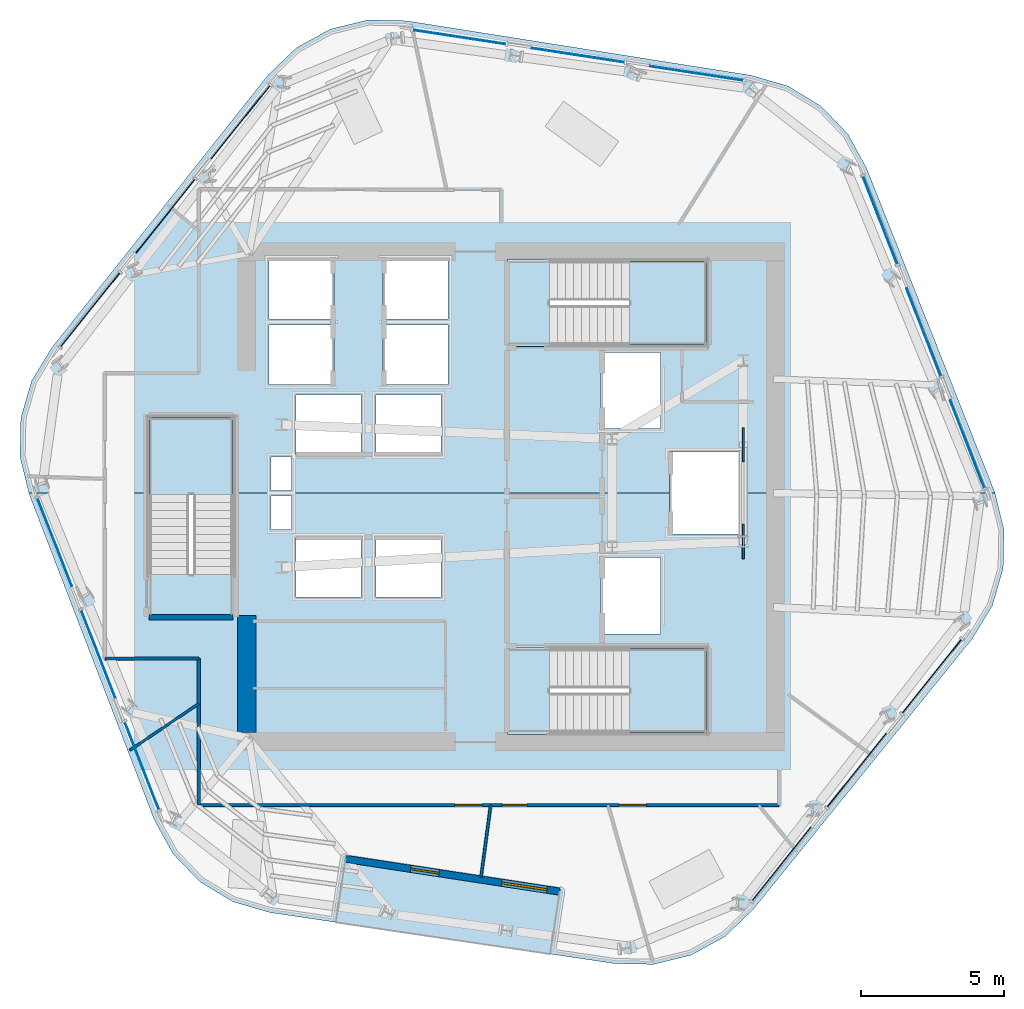
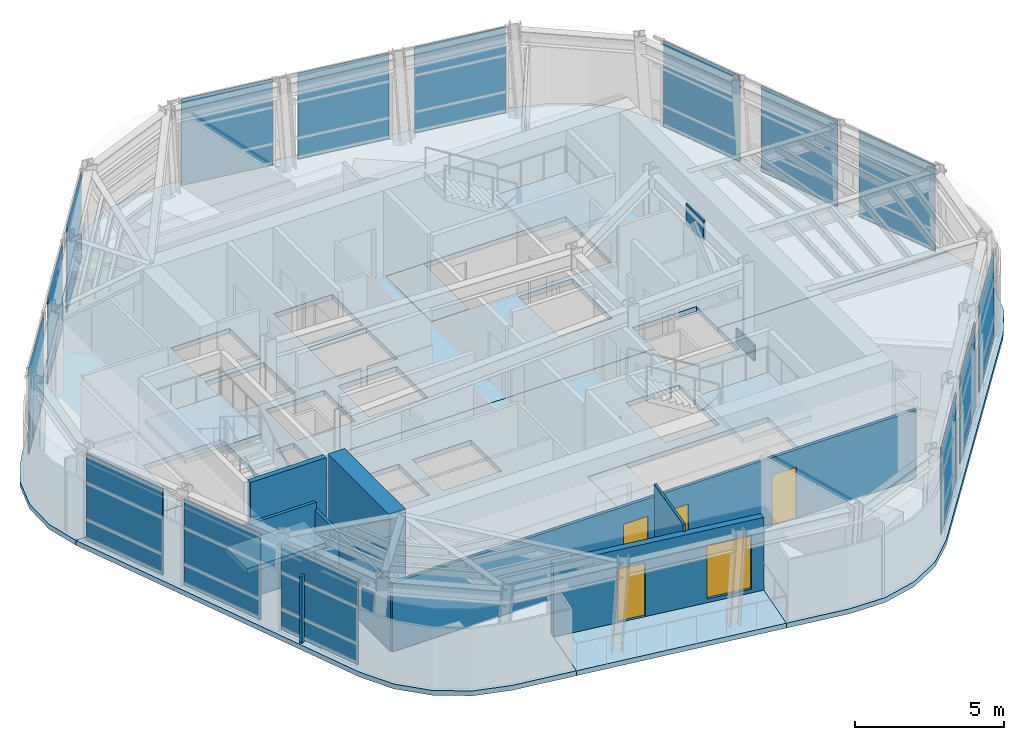
# One storey, part 5 of 12: 17 plates, 9 slabs, 8 walls, 4 doors, 1 window, 5 openings, 8 elements without a shape of their own.
"""IFC4 building model written with IfcOpenShell, lengths in metres."""

from ifc_helpers import new_model, si_unit, direction, frame, frame_2d, origin, origin_2d, place, context, subcontext, project, spatial, polyline, rectangle, outline, extrude, material, layer, layer_set, type_object, element, fill, aggregate, save


model = new_model("IFC4")

# Units and contexts
model_context = context("Model", 3, precision=1e-05, world=origin(), true_north=direction((0.0, 1.0)))
body_context = subcontext(model_context, "Body", "Model", "MODEL_VIEW")
ifc_project = project(units=[si_unit("LENGTHUNIT", "METRE"), si_unit("AREAUNIT", "SQUARE_METRE"), si_unit("VOLUMEUNIT", "CUBIC_METRE"), si_unit("PLANEANGLEUNIT", "RADIAN"), si_unit("MASSUNIT", "GRAM", prefix="KILO")], contexts=[model_context])

# Site, building, storey
site_placement = place(None, origin())
site = spatial("IfcSite", under=ifc_project, at=site_placement, CompositionType="ELEMENT")
building_placement = place(site_placement, origin())
building = spatial("IfcBuilding", under=site, at=building_placement, Name="Valkerne Bourse Tower", CompositionType="ELEMENT")
storey_placement = place(building_placement, frame((0.0, 0.0, 243.60009765625)))
storey = spatial("IfcBuildingStorey", under=building, at=storey_placement, Name="L62", CompositionType="ELEMENT", Elevation=243.60009765625)

# Curtain wall, plates
ifc_material_1 = material(Name="Aluminium AA 6063-T6", Category="aluminium")
ifc_layer_1 = layer(ifc_material_1, 0.239990234375)
ifc_layer_set_1 = layer_set([ifc_layer_1], Name="Aluminium AA 6063-T6")
curtain_wall_type = type_object("IfcCurtainWallType", Name="CW-04", PredefinedType="NOTDEFINED", material=ifc_layer_set_1)
curtain_wall_1_placement = place(storey_placement, origin())
curtain_wall_1 = element("IfcCurtainWall", 1, at=curtain_wall_1_placement, inside=storey, type_object=curtain_wall_type, Name="L62 Hexagonal Stick Curtain Wall Face 1", PredefinedType="NOTDEFINED")
ifc_material_2 = material(Name="Glass IGU Low-E Double Glazed", Category="glass")
ifc_layer_2 = layer(ifc_material_2, 0.031982421875)
ifc_layer_set_2 = layer_set([ifc_layer_2], Name="Glass IGU Low-E Double Glazed")
plate_type_1 = type_object("IfcPlateType", Name="CW-PNL-IGU-32", PredefinedType="CURTAIN_PANEL", material=ifc_layer_set_2)
plate_1_placement = place(storey_placement, frame((53.31396484375, 41.722900390625, 0.02978515625), z_axis=(0.0, 0.0, 1.0), x_axis=(-0.988494608468, 0.151256104109, 0.0)))
plate_1 = element("IfcPlate", 2, at=plate_1_placement, type_object=plate_type_1, Name="CW-L62-F1 Curtain Panel 00", PredefinedType="CURTAIN_PANEL", context=body_context, shape_type="SweptSolid", body=[
    extrude(rectangle(XDim=3.2919921875, YDim=0.031982421875, at=origin_2d()), origin(), (0.0, 0.0, 1.0), 3.5400390625),
])
plate_2_placement = place(storey_placement, frame((49.150390625, 42.35986328125, 0.02978515625), z_axis=(0.0, 0.0, 1.0), x_axis=(-0.988494065285, 0.151259653894, 0.0)))
plate_2 = element("IfcPlate", 3, at=plate_2_placement, type_object=plate_type_1, Name="CW-L62-F1 Curtain Panel 01", PredefinedType="CURTAIN_PANEL", context=body_context, shape_type="SweptSolid", body=[
    extrude(rectangle(XDim=3.2919921875, YDim=0.031982421875, at=origin_2d()), origin(), (0.0, 0.0, 1.0), 3.5400390625),
])
plate_3_placement = place(storey_placement, frame((44.98681640625, 42.9970703125, 0.02978515625), z_axis=(0.0, 0.0, 1.0), x_axis=(-0.988494065285, 0.151259653894, 0.0)))
plate_3 = element("IfcPlate", 4, at=plate_3_placement, type_object=plate_type_1, Name="CW-L62-F1 Curtain Panel 02", PredefinedType="CURTAIN_PANEL", context=body_context, shape_type="SweptSolid", body=[
    extrude(rectangle(XDim=3.2919921875, YDim=0.031982421875, at=origin_2d()), origin(), (0.0, 0.0, 1.0), 3.5400390625),
])
aggregate(curtain_wall_1, [plate_1, plate_2, plate_3])

curtain_wall_2_placement = place(storey_placement, origin())
curtain_wall_2 = element("IfcCurtainWall", 5, at=curtain_wall_2_placement, inside=storey, type_object=curtain_wall_type, Name="L62 Hexagonal Stick Curtain Wall Face 2", PredefinedType="NOTDEFINED")
plate_4_placement = place(storey_placement, frame((37.306640625, 40.002685546875, 0.02978515625), z_axis=(0.0, 0.0, 1.0), x_axis=(-0.625236322799, -0.780435481416, 0.0)))
plate_4 = element("IfcPlate", 6, at=plate_4_placement, type_object=plate_type_1, Name="CW-L62-F2 Curtain Panel 00", PredefinedType="CURTAIN_PANEL", context=body_context, shape_type="SweptSolid", body=[
    extrude(rectangle(XDim=3.2919921875, YDim=0.031982421875, at=origin_2d()), origin(), (0.0, 0.0, 1.0), 3.5400390625),
])
plate_5_placement = place(storey_placement, frame((34.673095703125, 36.715576171875, 0.02978515625), z_axis=(0.0, 0.0, 1.0), x_axis=(-0.625236322799, -0.780435481416, 0.0)))
plate_5 = element("IfcPlate", 7, at=plate_5_placement, type_object=plate_type_1, Name="CW-L62-F2 Curtain Panel 01", PredefinedType="CURTAIN_PANEL", context=body_context, shape_type="SweptSolid", body=[
    extrude(rectangle(XDim=3.2919921875, YDim=0.031982421875, at=origin_2d()), origin(), (0.0, 0.0, 1.0), 3.5400390625),
])
plate_6_placement = place(storey_placement, frame((32.039794921875, 33.42822265625, 0.02978515625), z_axis=(0.0, 0.0, 1.0), x_axis=(-0.625236322799, -0.780435481416, 0.0)))
plate_6 = element("IfcPlate", 8, at=plate_6_placement, type_object=plate_type_1, Name="CW-L62-F2 Curtain Panel 02", PredefinedType="CURTAIN_PANEL", context=body_context, shape_type="SweptSolid", body=[
    extrude(rectangle(XDim=3.2919921875, YDim=0.031982421875, at=origin_2d()), origin(), (0.0, 0.0, 1.0), 3.5400390625),
])
aggregate(curtain_wall_2, [plate_4, plate_5, plate_6])

curtain_wall_3_placement = place(storey_placement, origin())
curtain_wall_3 = element("IfcCurtainWall", 9, at=curtain_wall_3_placement, inside=storey, type_object=curtain_wall_type, Name="L62 Hexagonal Stick Curtain Wall Face 3", PredefinedType="NOTDEFINED")
plate_7_placement = place(storey_placement, frame((30.792724609375, 25.27978515625, 0.02978515625), z_axis=(0.0, 0.0, 1.0), x_axis=(0.363267586494, -0.931684850474, 0.0)))
plate_7 = element("IfcPlate", 10, at=plate_7_placement, type_object=plate_type_1, Name="CW-L62-F3 Curtain Panel 00", PredefinedType="CURTAIN_PANEL", context=body_context, shape_type="SweptSolid", body=[
    extrude(rectangle(XDim=3.2919921875, YDim=0.031982421875, at=origin_2d()), origin(), (0.0, 0.0, 1.0), 3.5400390625),
])
plate_8_placement = place(storey_placement, frame((32.32275390625, 21.355712890625, 0.02978515625), z_axis=(0.0, 0.0, 1.0), x_axis=(0.363246977807, -0.93169288562, 0.0)))
plate_8 = element("IfcPlate", 11, at=plate_8_placement, type_object=plate_type_1, Name="CW-L62-F3 Curtain Panel 01", PredefinedType="CURTAIN_PANEL", context=body_context, shape_type="SweptSolid", body=[
    extrude(rectangle(XDim=3.2919921875, YDim=0.031982421875, at=origin_2d()), origin(), (0.0, 0.0, 1.0), 3.5400390625),
])
plate_9_placement = place(storey_placement, frame((33.852783203125, 17.43115234375, 0.02978515625), z_axis=(0.0, 0.0, 1.0), x_axis=(0.363246977807, -0.93169288562, 0.0)))
plate_9 = element("IfcPlate", 12, at=plate_9_placement, type_object=plate_type_1, Name="CW-L62-F3 Curtain Panel 02", PredefinedType="CURTAIN_PANEL", context=body_context, shape_type="SweptSolid", body=[
    extrude(rectangle(XDim=3.2919921875, YDim=0.031982421875, at=origin_2d()), origin(), (0.0, 0.0, 1.0), 3.5400390625),
])
aggregate(curtain_wall_3, [plate_7, plate_8, plate_9])

curtain_wall_4_placement = place(storey_placement, origin())
curtain_wall_4 = element("IfcCurtainWall", 13, at=curtain_wall_4_placement, inside=storey, type_object=curtain_wall_type, Name="L62 Hexagonal Stick Curtain Wall Face 5", PredefinedType="NOTDEFINED")
plate_10_placement = place(storey_placement, frame((56.293212890625, 13.997314453125, 0.02978515625), z_axis=(0.0, 0.0, 1.0), x_axis=(0.625236322799, 0.780435481416, 0.0)))
plate_10 = element("IfcPlate", 14, at=plate_10_placement, type_object=plate_type_1, Name="CW-L62-F5 Curtain Panel 00", PredefinedType="CURTAIN_PANEL", context=body_context, shape_type="SweptSolid", body=[
    extrude(rectangle(XDim=3.2919921875, YDim=0.031982421875, at=origin_2d()), origin(), (0.0, 0.0, 1.0), 3.5400390625),
])
plate_11_placement = place(storey_placement, frame((58.927001953125, 17.284423828125, 0.02978515625), z_axis=(0.0, 0.0, 1.0), x_axis=(0.625236322799, 0.780435481416, 0.0)))
plate_11 = element("IfcPlate", 15, at=plate_11_placement, type_object=plate_type_1, Name="CW-L62-F5 Curtain Panel 01", PredefinedType="CURTAIN_PANEL", context=body_context, shape_type="SweptSolid", body=[
    extrude(rectangle(XDim=3.2919921875, YDim=0.031982421875, at=origin_2d()), origin(), (0.0, 0.0, 1.0), 3.5400390625),
])
plate_12_placement = place(storey_placement, frame((61.560302734375, 20.57177734375, 0.02978515625), z_axis=(0.0, 0.0, 1.0), x_axis=(0.625236322799, 0.780435481416, 0.0)))
plate_12 = element("IfcPlate", 16, at=plate_12_placement, type_object=plate_type_1, Name="CW-L62-F5 Curtain Panel 02", PredefinedType="CURTAIN_PANEL", context=body_context, shape_type="SweptSolid", body=[
    extrude(rectangle(XDim=3.2919921875, YDim=0.031982421875, at=origin_2d()), origin(), (0.0, 0.0, 1.0), 3.5400390625),
])
aggregate(curtain_wall_4, [plate_10, plate_11, plate_12])

curtain_wall_5_placement = place(storey_placement, origin())
curtain_wall_5 = element("IfcCurtainWall", 17, at=curtain_wall_5_placement, inside=storey, type_object=curtain_wall_type, Name="L62 Hexagonal Stick Curtain Wall Face 6", PredefinedType="NOTDEFINED")
plate_13_placement = place(storey_placement, frame((62.807373046875, 28.72021484375, 0.02978515625), z_axis=(0.0, 0.0, 1.0), x_axis=(-0.363267586494, 0.931684850474, 0.0)))
plate_13 = element("IfcPlate", 18, at=plate_13_placement, type_object=plate_type_1, Name="CW-L62-F6 Curtain Panel 00", PredefinedType="CURTAIN_PANEL", context=body_context, shape_type="SweptSolid", body=[
    extrude(rectangle(XDim=3.2919921875, YDim=0.031982421875, at=origin_2d()), origin(), (0.0, 0.0, 1.0), 3.5400390625),
])
plate_14_placement = place(storey_placement, frame((61.277099609375, 32.644287109375, 0.02978515625), z_axis=(0.0, 0.0, 1.0), x_axis=(-0.363246977807, 0.93169288562, 0.0)))
plate_14 = element("IfcPlate", 19, at=plate_14_placement, type_object=plate_type_1, Name="CW-L62-F6 Curtain Panel 01", PredefinedType="CURTAIN_PANEL", context=body_context, shape_type="SweptSolid", body=[
    extrude(rectangle(XDim=3.2919921875, YDim=0.031982421875, at=origin_2d()), origin(), (0.0, 0.0, 1.0), 3.5400390625),
])
plate_15_placement = place(storey_placement, frame((59.747314453125, 36.56884765625, 0.02978515625), z_axis=(0.0, 0.0, 1.0), x_axis=(-0.363246977807, 0.93169288562, 0.0)))
plate_15 = element("IfcPlate", 20, at=plate_15_placement, type_object=plate_type_1, Name="CW-L62-F6 Curtain Panel 02", PredefinedType="CURTAIN_PANEL", context=body_context, shape_type="SweptSolid", body=[
    extrude(rectangle(XDim=3.2919921875, YDim=0.031982421875, at=origin_2d()), origin(), (0.0, 0.0, 1.0), 3.5400390625),
])
aggregate(curtain_wall_5, [plate_13, plate_14, plate_15])

# Plates
ifc_material_3 = material(Name="Steel ASTM A572 Grade 50", Category="steel")
ifc_layer_3 = layer(ifc_material_3, 0.06005859375)
ifc_layer_set_3 = layer_set([ifc_layer_3], Name="Steel ASTM A572 Grade 50")
plate_type_2 = type_object("IfcPlateType", Name="PLT-GUS-60", PredefinedType="SHEET", material=ifc_layer_set_3)
for number, where, z_axis, x_axis, name in (
    (21, (54.949951171875, 25.300048828125, -0.18017578125), (0.0, 0.0, 1.0), (0.0, 1.0, 0.0), "L62 Brace Node Gusset Plate PLT-GUS-END-L62-440"),
    (22, (54.949951171875, 28.699951171875, 2.8935546875), (0.0, 0.0, 1.0), (0.0, 1.0, 0.0), "L62 Brace Node Gusset Plate PLT-GUS-END-L62-441"),
):
    element("IfcPlate", number, at=place(storey_placement, frame(where, z_axis=z_axis, x_axis=x_axis)), inside=storey, type_object=plate_type_2, Name=name, PredefinedType="SHEET", context=body_context, shape_type="SweptSolid", body=[
        extrude(rectangle(XDim=1.199951171875, YDim=0.06005859375, at=origin_2d()), origin(), (0.0, 0.0, 1.0), 0.800048828125),
    ])

# Slabs
ifc_material_4 = material(Name="Concrete C40/50", Category="concrete")
ifc_layer_4 = layer(ifc_material_4, 0.25)
ifc_layer_set_4 = layer_set([ifc_layer_4], Name="Concrete C40/50")
slab_type_1 = type_object("IfcSlabType", Name="SLB-RMP-LND-250", PredefinedType="LANDING", material=ifc_layer_set_4)
slab_1_placement = place(storey_placement, frame((0.0, 0.0, -0.2001953125)))
element("IfcSlab", 23, at=slab_1_placement, inside=storey, type_object=slab_type_1, Name="L62 ST-1 Floor Landing Slab", PredefinedType="LANDING", context=body_context, shape_type="SweptSolid", body=[
    extrude(outline(polyline([(46.669921875, 18.5400390625), (48.14990234375, 18.5400390625), (48.14990234375, 21.610107421875), (46.669921875, 21.610107421875), (46.669921875, 18.5400390625)])), origin(), (0.0, 0.0, 1.0), 0.2001953125),
])
slab_2_placement = place(storey_placement, frame((0.0, 0.0, -0.2001953125)))
element("IfcSlab", 24, at=slab_2_placement, inside=storey, type_object=slab_type_1, Name="L62 ST-2 Floor Landing Slab", PredefinedType="LANDING", context=body_context, shape_type="SweptSolid", body=[
    extrude(outline(polyline([(46.669921875, 32.139892578125), (48.14990234375, 32.139892578125), (48.14990234375, 35.2099609375), (46.669921875, 35.2099609375), (46.669921875, 32.139892578125)])), origin(), (0.0, 0.0, 1.0), 0.2001953125),
])
slab_3_placement = place(storey_placement, frame((0.0, 0.0, -0.2001953125)))
element("IfcSlab", 25, at=slab_3_placement, inside=storey, type_object=slab_type_1, Name="L62 ST-3 Floor Landing Slab", PredefinedType="LANDING", context=body_context, shape_type="SweptSolid", body=[
    extrude(outline(polyline([(37.110107421875, 22.669921875), (37.110107421875, 24.14990234375), (34.0400390625, 24.14990234375), (34.0400390625, 22.669921875), (37.110107421875, 22.669921875)])), origin(), (0.0, 0.0, 1.0), 0.2001953125),
])

# Stair, slab
stair_type = type_object("IfcStairType", Name="ST-CORE-1400", PredefinedType="HALF_TURN_STAIR", material=ifc_material_4)
stair_1_placement = place(storey_placement, origin())
stair_1 = element("IfcStair", 26, at=stair_1_placement, inside=storey, type_object=stair_type, Name="L62 ST-1", PredefinedType="HALF_TURN_STAIR")
ifc_layer_5 = layer(ifc_material_4, 0.179931640625)
ifc_layer_set_5 = layer_set([ifc_layer_5], Name="Concrete C40/50")
slab_type_2 = type_object("IfcSlabType", Name="SLB-ST-LND-180", PredefinedType="LANDING", material=ifc_layer_set_5)
slab_4_placement = place(storey_placement, frame((0.0, 0.0, 1.699951171875)))
slab_4 = element("IfcSlab", 27, at=slab_4_placement, type_object=slab_type_2, Name="ST-1 landing 1", PredefinedType="LANDING", context=body_context, shape_type="SweptSolid", body=[
    extrude(outline(polyline([(50.949951171875, 18.60009765625), (53.64990234375, 18.60009765625), (53.64990234375, 21.550048828125), (50.949951171875, 21.550048828125), (50.949951171875, 18.60009765625)])), origin(), (0.0, 0.0, 1.0), 0.199951171875),
])
aggregate(stair_1, [slab_4])

stair_2_placement = place(storey_placement, origin())
stair_2 = element("IfcStair", 28, at=stair_2_placement, inside=storey, type_object=stair_type, Name="L62 ST-2", PredefinedType="HALF_TURN_STAIR")
slab_5_placement = place(storey_placement, frame((0.0, 0.0, 1.699951171875)))
slab_5 = element("IfcSlab", 29, at=slab_5_placement, type_object=slab_type_2, Name="ST-2 landing 1", PredefinedType="LANDING", context=body_context, shape_type="SweptSolid", body=[
    extrude(outline(polyline([(50.949951171875, 32.199951171875), (53.64990234375, 32.199951171875), (53.64990234375, 35.14990234375), (50.949951171875, 35.14990234375), (50.949951171875, 32.199951171875)])), origin(), (0.0, 0.0, 1.0), 0.199951171875),
])
aggregate(stair_2, [slab_5])

stair_3_placement = place(storey_placement, origin())
stair_3 = element("IfcStair", 30, at=stair_3_placement, inside=storey, type_object=stair_type, Name="L62 ST-3", PredefinedType="HALF_TURN_STAIR")
slab_6_placement = place(storey_placement, frame((0.0, 0.0, 1.699951171875)))
slab_6 = element("IfcSlab", 31, at=slab_6_placement, type_object=slab_type_2, Name="ST-3 landing 1", PredefinedType="LANDING", context=body_context, shape_type="SweptSolid", body=[
    extrude(outline(polyline([(37.050048828125, 26.949951171875), (37.050048828125, 29.64990234375), (34.10009765625, 29.64990234375), (34.10009765625, 26.949951171875), (37.050048828125, 26.949951171875)])), origin(), (0.0, 0.0, 1.0), 0.199951171875),
])
aggregate(stair_3, [slab_6])

# Slabs
ifc_layer_6 = layer(ifc_material_4, 0.199951171875)
ifc_layer_set_6 = layer_set([ifc_layer_6], Name="Concrete C40/50")
slab_type_3 = type_object("IfcSlabType", Name="SLB-TER-200", PredefinedType="FLOOR", material=ifc_layer_set_6)
slab_7_placement = place(storey_placement, frame((0.0, 0.0, -0.2001953125)))
element("IfcSlab", 32, at=slab_7_placement, inside=storey, type_object=slab_type_3, Name="L62 V-Notch Stepped Outdoor Terrace Slab", PredefinedType="FLOOR", context=body_context, shape_type="SweptSolid", body=[
    extrude(outline(polyline([(40.652099609375, 11.946044921875), (40.992431640625, 14.169189453125), (48.5048828125, 13.01953125), (48.17041015625, 10.83349609375), (40.652099609375, 11.946044921875)])), origin(), (0.0, 0.0, 1.0), 0.2001953125),
])
ifc_layer_7 = layer(ifc_material_4, 0.199951171875)
ifc_layer_set_7 = layer_set([ifc_layer_7], Name="Concrete C40/50")
slab_type_4 = type_object("IfcSlabType", Name="SLB-TOW-200", PredefinedType="FLOOR", material=ifc_layer_set_7)
slab_8_placement = place(storey_placement, frame((0.0, 0.0, -0.2001953125)))
element("IfcSlab", 33, at=slab_8_placement, inside=storey, type_object=slab_type_4, Name="L62 Hexagonal Composite Floor Slab S", PredefinedType="FLOOR", context=body_context, shape_type="SweptSolid", body=[
    extrude(outline(polyline([(35.8798828125, 13.369384765625), (34.940185546875, 14.34912109375), (34.286376953125, 15.538818359375), (29.89990234375, 26.955810546875), (29.88916015625, 27.0), (34.034912109375, 27.0), (34.034912109375, 22.6650390625), (37.114990234375, 22.6650390625), (37.114990234375, 27.0), (52.360107421875, 27.0), (52.360107421875, 25.56005859375), (54.840087890625, 25.56005859375), (54.840087890625, 27.0), (63.777587890625, 27.0), (64.093017578125, 25.71533203125), (64.064697265625, 24.358154296875), (63.685791015625, 23.0546875), (62.982666015625, 21.893310546875), (55.288330078125, 12.38623046875), (54.30859375, 11.44677734375), (53.118896484375, 10.792724609375), (51.80078125, 10.468994140625), (50.443603515625, 10.497314453125), (48.17041015625, 10.83349609375), (48.5048828125, 13.01953125), (40.992431640625, 14.169189453125), (40.652099609375, 11.946044921875), (38.344482421875, 12.287353515625), (37.041015625, 12.666015625), (35.8798828125, 13.369384765625)]), holes=[polyline([(41.5400390625, 25.43994140625), (39.260009765625, 25.43994140625), (39.260009765625, 23.360107421875), (41.5400390625, 23.360107421875), (41.5400390625, 25.43994140625)]), polyline([(44.340087890625, 25.43994140625), (42.06005859375, 25.43994140625), (42.06005859375, 23.360107421875), (44.340087890625, 23.360107421875), (44.340087890625, 25.43994140625)]), polyline([(39.10009765625, 26.89990234375), (38.3798828125, 26.89990234375), (38.3798828125, 25.72998046875), (39.10009765625, 25.72998046875), (39.10009765625, 26.89990234375)]), polyline([(53.675048828125, 21.614990234375), (46.6650390625, 21.614990234375), (46.6650390625, 18.534912109375), (53.675048828125, 18.534912109375), (53.675048828125, 21.614990234375)]), polyline([(52.0400390625, 24.739990234375), (49.9599609375, 24.739990234375), (49.9599609375, 22.06005859375), (52.0400390625, 22.06005859375), (52.0400390625, 24.739990234375)])]), origin(), (0.0, 0.0, 1.0), 0.2001953125),
])
slab_9_placement = place(storey_placement, frame((0.0, 0.0, -0.2001953125)))
element("IfcSlab", 34, at=slab_9_placement, inside=storey, type_object=slab_type_4, Name="L62 Hexagonal Composite Floor Slab N", PredefinedType="FLOOR", context=body_context, shape_type="SweptSolid", body=[
    extrude(outline(polyline([(29.576171875, 28.274169921875), (29.6044921875, 29.63134765625), (29.9833984375, 30.934814453125), (30.6865234375, 32.095947265625), (38.286376953125, 41.678955078125), (39.26611328125, 42.618408203125), (40.45556640625, 43.2724609375), (41.77392578125, 43.59619140625), (43.131103515625, 43.56787109375), (55.211669921875, 41.657958984375), (56.515380859375, 41.279296875), (57.676513671875, 40.575927734375), (58.615966796875, 39.59619140625), (59.27001953125, 38.40673828125), (63.769287109375, 27.03369140625), (63.777587890625, 27.0), (54.840087890625, 27.0), (54.840087890625, 28.43994140625), (52.360107421875, 28.43994140625), (52.360107421875, 27.0), (37.114990234375, 27.0), (37.114990234375, 29.675048828125), (34.034912109375, 29.675048828125), (34.034912109375, 27.0), (29.88916015625, 27.0), (29.576171875, 28.274169921875)]), holes=[polyline([(39.10009765625, 28.27001953125), (38.3798828125, 28.27001953125), (38.3798828125, 27.10009765625), (39.10009765625, 27.10009765625), (39.10009765625, 28.27001953125)]), polyline([(41.5400390625, 30.43994140625), (39.260009765625, 30.43994140625), (39.260009765625, 28.360107421875), (41.5400390625, 28.360107421875), (41.5400390625, 30.43994140625)]), polyline([(40.590087890625, 32.889892578125), (38.31005859375, 32.889892578125), (38.31005859375, 30.81005859375), (40.590087890625, 30.81005859375), (40.590087890625, 32.889892578125)]), polyline([(40.590087890625, 35.18994140625), (38.31005859375, 35.18994140625), (38.31005859375, 33.110107421875), (40.590087890625, 33.110107421875), (40.590087890625, 35.18994140625)]), polyline([(44.340087890625, 30.43994140625), (42.06005859375, 30.43994140625), (42.06005859375, 28.360107421875), (44.340087890625, 28.360107421875), (44.340087890625, 30.43994140625)]), polyline([(52.0400390625, 31.93994140625), (49.9599609375, 31.93994140625), (49.9599609375, 29.260009765625), (52.0400390625, 29.260009765625), (52.0400390625, 31.93994140625)]), polyline([(44.590087890625, 32.889892578125), (42.31005859375, 32.889892578125), (42.31005859375, 30.81005859375), (44.590087890625, 30.81005859375), (44.590087890625, 32.889892578125)]), polyline([(53.675048828125, 35.215087890625), (46.6650390625, 35.215087890625), (46.6650390625, 32.135009765625), (53.675048828125, 32.135009765625), (53.675048828125, 35.215087890625)]), polyline([(44.590087890625, 35.18994140625), (42.31005859375, 35.18994140625), (42.31005859375, 33.110107421875), (44.590087890625, 33.110107421875), (44.590087890625, 35.18994140625)])]), origin(), (0.0, 0.0, 1.0), 0.2001953125),
])

# Walls
ifc_material_5 = material(Name="Concrete C55/67", Category="concrete")
ifc_layer_8 = layer(ifc_material_5, 0.64990234375)
ifc_layer_set_8 = layer_set([ifc_layer_8], Name="Concrete C55/67")
wall_type_1 = type_object("IfcWallType", Name="W-CORE-650", PredefinedType="SHEAR", material=ifc_layer_set_8)
wall_1_placement = place(storey_placement, frame((37.52490234375, 18.60009765625, 0.0), z_axis=(0.0, 0.0, 1.0), x_axis=(0.0, 1.0, 0.0)))
element("IfcWall", 35, at=wall_1_placement, inside=storey, type_object=wall_type_1, Name="L62 Core Shear Wall WEST-S", PredefinedType="SHEAR", context=body_context, shape_type="SweptSolid", body=[
    extrude(rectangle(XDim=4.099853515625, YDim=0.64990234375, at=frame_2d((2.0498046875, 0.0))), origin(), (0.0, 0.0, 1.0), 3.599853515625),
])
ifc_material_6 = material(Name="Gypsum Board Steel-Stud Partition", Category="steel")
ifc_layer_9 = layer(ifc_material_6, 0.117919921875)
ifc_layer_set_9 = layer_set([ifc_layer_9], Name="Gypsum Board Steel-Stud Partition")
wall_type_2 = type_object("IfcWallType", Name="W-CORR-140", PredefinedType="PARTITIONING", material=ifc_layer_set_9)
wall_2_placement = place(storey_placement, frame((35.85009765625, 16.06005859375, 0.0), z_axis=(0.0, 0.0, 1.0), x_axis=(0.0, 1.0, 0.0)))
element("IfcWall", 36, at=wall_2_placement, inside=storey, type_object=wall_type_2, Name="L62 Corridor Enclosure Wall", PredefinedType="PARTITIONING", context=body_context, shape_type="SweptSolid", body=[
    extrude(rectangle(XDim=5.139892578125, YDim=0.117919921875, at=frame_2d((2.56982421875, 0.0))), origin(), (0.0, 0.0, 1.0), 2.7314453125),
])
wall_3_placement = place(storey_placement, frame((35.85009765625, 21.199951171875, 0.0), z_axis=(0.0, 0.0, 1.0), x_axis=(-1.0, 0.0, 0.0)))
element("IfcWall", 37, at=wall_3_placement, inside=storey, type_object=wall_type_2, Name="L62 Corridor Enclosure Wall", PredefinedType="PARTITIONING", context=body_context, shape_type="SweptSolid", body=[
    extrude(rectangle(XDim=3.300048828125, YDim=0.117919921875, at=frame_2d((1.64990234375, 0.0))), origin(), (0.0, 0.0, 1.0), 3.0361328125),
])

# Wall, openings, doors
wall_4_placement = place(storey_placement, frame((56.199951171875, 16.06005859375, 0.0), z_axis=(0.0, 0.0, 1.0), x_axis=(-1.0, 0.0, 0.0)))
wall_4 = element("IfcWall", 38, at=wall_4_placement, inside=storey, type_object=wall_type_2, Name="L62 Corridor Enclosure Wall", PredefinedType="PARTITIONING", context=body_context, shape_type="SweptSolid", body=[
    extrude(rectangle(XDim=20.349853515625, YDim=0.117919921875, at=frame_2d((10.1748046875, 0.0))), origin(), (0.0, 0.0, 1.0), 2.8203125),
])
opening_1_placement = place(wall_4_placement, frame((8.844970703125, 0.0, 0.0)))
opening_1 = element("IfcOpeningElement", 39, at=opening_1_placement, cuts=wall_4, Name="Opening D-WC-900", PredefinedType="OPENING", context=body_context, shape_type="SweptSolid", body=[
    extrude(rectangle(XDim=0.860107421875, YDim=2.050048828125, at=frame_2d((0.43017578125, 1.02490234375))), frame((0.0, 0.06884765625, 0.0), z_axis=(0.0, -1.0, 0.0), x_axis=(1.0, 0.0, 0.0)), (0.0, 0.0, 1.0), 0.137939453125),
])
opening_2_placement = place(wall_4_placement, frame((4.659912109375, 0.0, 0.0)))
opening_2 = element("IfcOpeningElement", 40, at=opening_2_placement, cuts=wall_4, Name="Opening D-OF-950", PredefinedType="OPENING", context=body_context, shape_type="SweptSolid", body=[
    extrude(rectangle(XDim=0.949951171875, YDim=2.10009765625, at=frame_2d((0.47509765625, 1.050048828125))), frame((0.0, 0.06884765625, 0.0), z_axis=(0.0, -1.0, 0.0), x_axis=(1.0, 0.0, 0.0)), (0.0, 0.0, 1.0), 0.137939453125),
])
opening_3_placement = place(wall_4_placement, frame((10.419921875, 0.0, 0.0)))
opening_3 = element("IfcOpeningElement", 41, at=opening_3_placement, cuts=wall_4, Name="Opening D-OF-950", PredefinedType="OPENING", context=body_context, shape_type="SweptSolid", body=[
    extrude(rectangle(XDim=0.949951171875, YDim=2.10009765625, at=frame_2d((0.47509765625, 1.050048828125))), frame((0.0, 0.06884765625, 0.0), z_axis=(0.0, -1.0, 0.0), x_axis=(1.0, 0.0, 0.0)), (0.0, 0.0, 1.0), 0.137939453125),
])
ifc_material_7 = material(Name="Architectural White Oak Timber", Category="wood")
door_type_1 = type_object("IfcDoorType", Name="DR-OFF-950", OperationType="NOTDEFINED", PredefinedType="DOOR", material=ifc_material_7)
door_1_placement = place(opening_2_placement, origin())
door_1 = element("IfcDoor", 42, at=door_1_placement, inside=storey, type_object=door_type_1, Name="L62 L62 VIP Client Concierge Reception 3 Door", OperationType="SINGLE_SWING_LEFT", OverallHeight=2.10009765625, OverallWidth=0.949951171875, PredefinedType="DOOR", context=body_context, shape_type="SweptSolid", body=[
    extrude(rectangle(XDim=0.949951171875, YDim=2.10009765625, at=frame_2d((0.47509765625, 1.050048828125))), frame((0.0, 0.02490234375, 0.0), z_axis=(0.0, -1.0, 0.0), x_axis=(1.0, 0.0, 0.0)), (0.0, 0.0, 1.0), 0.050048828125),
])
fill(opening_2, door_1)
door_2_placement = place(opening_3_placement, origin())
door_2 = element("IfcDoor", 43, at=door_2_placement, inside=storey, type_object=door_type_1, Name="L62 L62 Executive Advisory Suite Office 5 Door", OperationType="SINGLE_SWING_LEFT", OverallHeight=2.10009765625, OverallWidth=0.949951171875, PredefinedType="DOOR", context=body_context, shape_type="SweptSolid", body=[
    extrude(rectangle(XDim=0.949951171875, YDim=2.10009765625, at=frame_2d((0.47509765625, 1.050048828125))), frame((0.0, 0.02490234375, 0.0), z_axis=(0.0, -1.0, 0.0), x_axis=(1.0, 0.0, 0.0)), (0.0, 0.0, 1.0), 0.050048828125),
])
fill(opening_3, door_2)
door_type_2 = type_object("IfcDoorType", Name="DR-WC-900", OperationType="NOTDEFINED", PredefinedType="DOOR", material=ifc_material_7)
door_3_placement = place(opening_1_placement, origin())
door_3 = element("IfcDoor", 44, at=door_3_placement, inside=storey, type_object=door_type_2, Name="L62 L62 Women Restroom & Shower WC 2 Door", OperationType="SINGLE_SWING_LEFT", OverallHeight=2.050048828125, OverallWidth=0.860107421875, PredefinedType="DOOR", context=body_context, shape_type="SweptSolid", body=[
    extrude(rectangle(XDim=0.860107421875, YDim=2.050048828125, at=frame_2d((0.43017578125, 1.02490234375))), frame((0.0, 0.02490234375, 0.0), z_axis=(0.0, -1.0, 0.0), x_axis=(1.0, 0.0, 0.0)), (0.0, 0.0, 1.0), 0.050048828125),
])
fill(opening_1, door_3)

# Wall, openings, door, window
ifc_material_8 = material(Name="Bronze Anodised Aluminium AA 6063-T6", Category="aluminium")
ifc_layer_10 = layer(ifc_material_8, 0.25)
ifc_layer_set_10 = layer_set([ifc_layer_10], Name="Bronze Anodised Aluminium AA 6063-T6")
wall_type_3 = type_object("IfcWallType", Name="W-EXT-TER-250", PredefinedType="STANDARD", material=ifc_layer_set_10)
wall_5_placement = place(storey_placement, frame((40.992431640625, 14.169189453125, 0.0), z_axis=(0.0, 0.0, 1.0), x_axis=(0.988492083939, -0.151272601582, 0.0)))
wall_5 = element("IfcWall", 45, at=wall_5_placement, inside=storey, type_object=wall_type_3, Name="L62 V-Notch Terrace Glazed Access Wall", PredefinedType="STANDARD", context=body_context, shape_type="SweptSolid", body=[
    extrude(rectangle(XDim=7.599853515625, YDim=0.25, at=frame_2d((3.7998046875, 0.0))), origin(), (0.0, 0.0, 1.0), 2.98681640625),
])
opening_4_placement = place(wall_5_placement, frame((2.320068359375, 0.0, 0.0)))
opening_4 = element("IfcOpeningElement", 46, at=opening_4_placement, cuts=wall_5, Name="Opening DT-1000", PredefinedType="OPENING", context=body_context, shape_type="SweptSolid", body=[
    extrude(rectangle(XDim=1.0, YDim=2.199951171875, at=frame_2d((0.5, 1.10009765625))), frame((0.0, 0.135009765625, 0.0), z_axis=(0.0, -1.0, 0.0), x_axis=(1.0, 0.0, 0.0)), (0.0, 0.0, 1.0), 0.27001953125),
])
opening_5_placement = place(wall_5_placement, frame((5.550048828125, 0.0, 0.14990234375)))
opening_5 = element("IfcOpeningElement", 47, at=opening_5_placement, cuts=wall_5, Name="Opening WN-04", PredefinedType="OPENING", context=body_context, shape_type="SweptSolid", body=[
    extrude(rectangle(XDim=1.60009765625, YDim=2.199951171875, at=frame_2d((0.800048828125, 1.10009765625))), frame((0.0, 0.135009765625, 0.0), z_axis=(0.0, -1.0, 0.0), x_axis=(1.0, 0.0, 0.0)), (0.0, 0.0, 1.0), 0.27001953125),
])
door_type_3 = type_object("IfcDoorType", Name="DR-EXT-TER-1000", OperationType="NOTDEFINED", PredefinedType="DOOR", material=ifc_material_2)
door_4_placement = place(opening_4_placement, origin())
door_4 = element("IfcDoor", 48, at=door_4_placement, inside=storey, type_object=door_type_3, Name="L62 V-Notch Outdoor Terrace Access Door", OperationType="SINGLE_SWING_LEFT", OverallHeight=2.199951171875, OverallWidth=1.0, PredefinedType="DOOR", context=body_context, shape_type="SweptSolid", body=[
    extrude(rectangle(XDim=1.0, YDim=2.199951171875, at=frame_2d((0.5, 1.10009765625))), frame((0.0, 0.02490234375, 0.0), z_axis=(0.0, -1.0, 0.0), x_axis=(1.0, 0.0, 0.0)), (0.0, 0.0, 1.0), 0.050048828125),
])
fill(opening_4, door_4)
window_type = type_object("IfcWindowType", Name="WIN-TER-1600X2200", PartitioningType="SINGLE_PANEL", PredefinedType="WINDOW", material=ifc_material_2)
window_placement = place(opening_5_placement, origin())
window = element("IfcWindow", 49, at=window_placement, inside=storey, type_object=window_type, Name="L62 V-Notch Terrace Sidelight Window", OverallHeight=2.199951171875, OverallWidth=1.60009765625, PartitioningType="SINGLE_PANEL", PredefinedType="WINDOW", context=body_context, shape_type="SweptSolid", body=[
    extrude(rectangle(XDim=1.60009765625, YDim=2.199951171875, at=frame_2d((0.800048828125, 1.10009765625))), frame((0.0, 0.030029296875, 0.0), z_axis=(0.0, -1.0, 0.0), x_axis=(1.0, 0.0, 0.0)), (0.0, 0.0, 1.0), 0.06005859375),
])
fill(opening_5, window)

# Walls
ifc_layer_11 = layer(ifc_material_6, 0.092041015625)
ifc_layer_set_11 = layer_set([ifc_layer_11], Name="Gypsum Board Steel-Stud Partition")
wall_type_4 = type_object("IfcWallType", Name="W-PART-115", PredefinedType="PARTITIONING", material=ifc_layer_set_11)
wall_6_placement = place(storey_placement, frame((46.08642578125, 16.054931640625, 0.0), z_axis=(0.0, 0.0, 1.0), x_axis=(-0.132300878481, -0.991209603239, 0.0)))
element("IfcWall", 50, at=wall_6_placement, inside=storey, type_object=wall_type_4, Name="L62 Suite Partition P01", PredefinedType="PARTITIONING", context=body_context, shape_type="SweptSolid", body=[
    extrude(rectangle(XDim=2.56494140625, YDim=0.092041015625, at=frame_2d((1.282470703125, 0.0))), origin(), (0.0, 0.0, 1.0), 3.2998046875),
])
wall_7_placement = place(storey_placement, frame((35.844970703125, 19.61083984375, 0.0), z_axis=(0.0, 0.0, 1.0), x_axis=(-0.828989193903, -0.559264621081, 0.0)))
element("IfcWall", 51, at=wall_7_placement, inside=storey, type_object=wall_type_4, Name="L62 Suite Partition P09", PredefinedType="PARTITIONING", context=body_context, shape_type="SweptSolid", body=[
    extrude(rectangle(XDim=2.919921875, YDim=0.092041015625, at=frame_2d((1.4599609375, 0.0))), origin(), (0.0, 0.0, 1.0), 2.7314453125),
])
ifc_layer_12 = layer(ifc_material_4, 0.199951171875)
ifc_layer_set_12 = layer_set([ifc_layer_12], Name="Concrete C40/50")
wall_type_5 = type_object("IfcWallType", Name="W-SHF-200", PredefinedType="SHEAR", material=ifc_layer_set_12)
wall_8_placement = place(storey_placement, frame((34.10009765625, 22.64990234375, 0.0), z_axis=(0.0, 0.0, 1.0), x_axis=(1.0, 0.0, 0.0)))
element("IfcWall", 52, at=wall_8_placement, inside=storey, type_object=wall_type_5, Name="L62 Exit Stair ST-3 Structural Shaft Wall South", PredefinedType="SHEAR", context=body_context, shape_type="SweptSolid", body=[
    extrude(rectangle(XDim=2.949951171875, YDim=0.199951171875, at=frame_2d((1.47509765625, 0.0))), origin(), (0.0, 0.0, 1.0), 3.599853515625),
])

save(model, "model.ifc")
